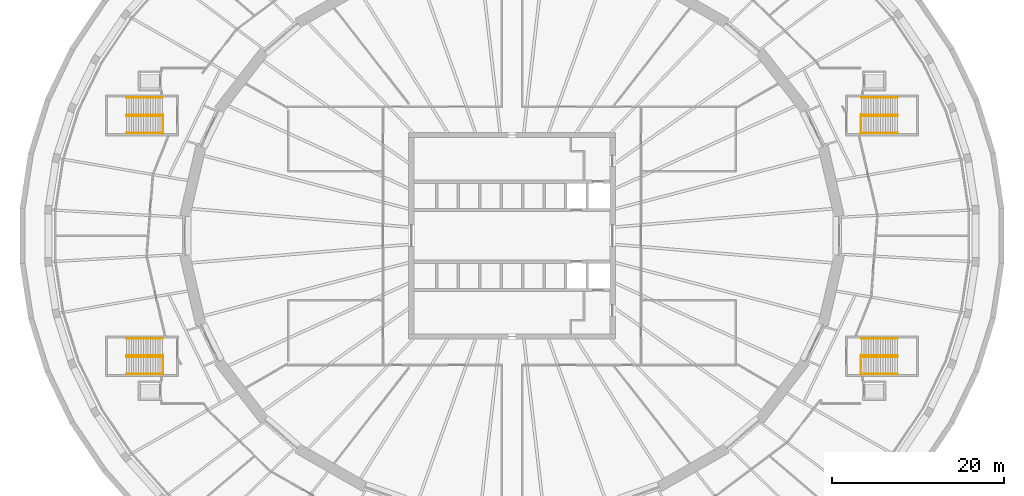
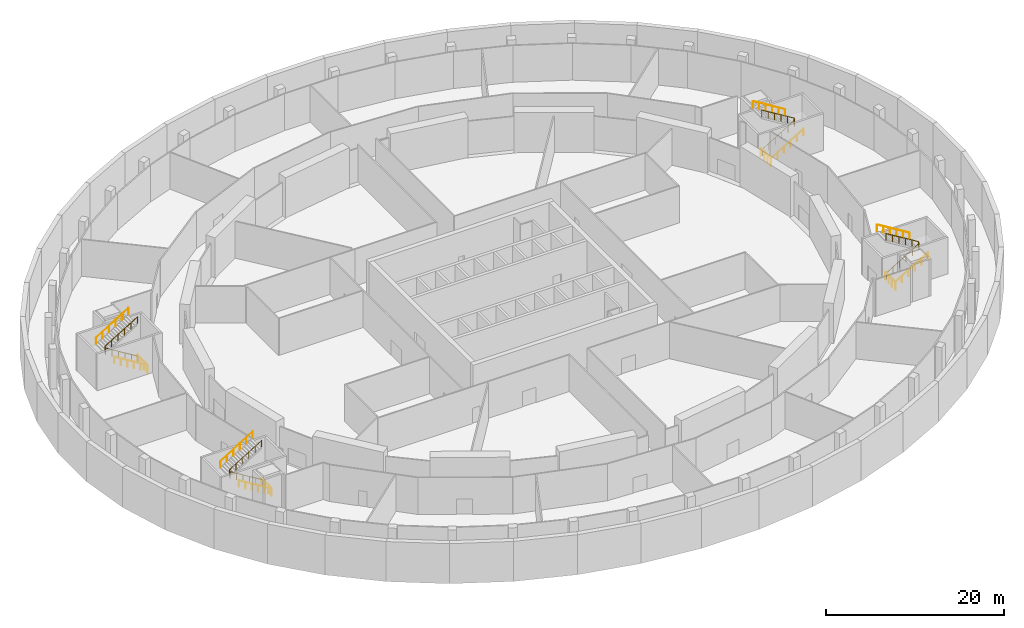
# One storey, part 13 of 14: 16 railings.
"""IFC4 building model written with IfcOpenShell, lengths in metres."""

from ifc_helpers import new_model, si_unit, direction, frame, origin, origin_2d, place, context, subcontext, project, spatial, circle, extrude, material, type_object, element, save


model = new_model("IFC4")

# Units and contexts
model_context = context("Model", 3, precision=1e-05, world=origin(), true_north=direction((0.0, 1.0)))
body_context = subcontext(model_context, "Body", "Model", "MODEL_VIEW")
ifc_project = project(units=[si_unit("LENGTHUNIT", "METRE"), si_unit("AREAUNIT", "SQUARE_METRE"), si_unit("VOLUMEUNIT", "CUBIC_METRE"), si_unit("PLANEANGLEUNIT", "RADIAN"), si_unit("MASSUNIT", "GRAM", prefix="KILO")], contexts=[model_context])

# Site, building, storey
site_placement = place(None, origin())
site = spatial("IfcSite", under=ifc_project, at=site_placement, CompositionType="ELEMENT")
building_placement = place(site_placement, origin())
building = spatial("IfcBuilding", under=site, at=building_placement, Name="Halqa Exchange Tower", CompositionType="ELEMENT")
storey_placement = place(building_placement, frame((0.0, 0.0, -9.5)))
storey = spatial("IfcBuildingStorey", under=building, at=storey_placement, Name="B2", CompositionType="ELEMENT", Elevation=-9.5)

# Railings
ifc_material = material(Name="Stainless steel", Category="steel")
railing_type_1 = type_object("IfcRailingType", Name="Stair handrail 900", PredefinedType="HANDRAIL", material=ifc_material)
railing_1_placement = place(storey_placement, frame((40.60009765625, 13.93505859375, 0.171875)))
element("IfcRailing", 1, at=railing_1_placement, inside=storey, type_object=railing_type_1, Name="Handrail SS1.1", PredefinedType="HANDRAIL", context=body_context, shape_type="SweptSolid", body=[
    extrude(circle(Radius=0.02392578125, at=origin_2d()), frame((0.0, 0.0, 0.8759765625), z_axis=(0.852242915053, 0.0, 0.523146264196), x_axis=(0.0, 1.0, 0.0)), (0.0, 0.0, 1.0), 4.92822265625),
    extrude(circle(Radius=0.02392578125, at=origin_2d()), frame((4.199951171875, 0.0, 3.4541015625), z_axis=(0.0, 0.602897214173, 0.797818869883), x_axis=(-1.0, 0.0, 0.0)), (0.0, 0.0, 1.0), 0.21533203125),
    extrude(circle(Radius=0.02392578125, at=origin_2d()), frame((4.199951171875, 0.1298828125, 3.6259765625), z_axis=(-0.852242915053, 0.0, 0.523146264196), x_axis=(0.0, -1.0, 0.0)), (0.0, 0.0, 1.0), 4.92822265625),
    extrude(circle(Radius=0.02099609375, at=origin_2d()), origin(), (0.0, 0.0, 1.0), 0.851806640625),
    extrude(circle(Radius=0.02099609375, at=origin_2d()), frame((0.840087890625, 0.0, 0.515625)), (0.0, 0.0, 1.0), 0.851806640625),
    extrude(circle(Radius=0.02099609375, at=origin_2d()), frame((1.679931640625, 0.0, 1.03125)), (0.0, 0.0, 1.0), 0.851806640625),
    extrude(circle(Radius=0.02099609375, at=origin_2d()), frame((2.52001953125, 0.0, 1.546875)), (0.0, 0.0, 1.0), 0.851806640625),
    extrude(circle(Radius=0.02099609375, at=origin_2d()), frame((3.35986328125, 0.0, 2.0625)), (0.0, 0.0, 1.0), 0.851806640625),
    extrude(circle(Radius=0.02099609375, at=origin_2d()), frame((4.199951171875, 0.0, 2.578125)), (0.0, 0.0, 1.0), 0.851806640625),
    extrude(circle(Radius=0.02099609375, at=origin_2d()), frame((4.199951171875, 0.1298828125, 2.75)), (0.0, 0.0, 1.0), 0.851806640625),
    extrude(circle(Radius=0.02099609375, at=origin_2d()), frame((3.35986328125, 0.1298828125, 3.265625)), (0.0, 0.0, 1.0), 0.851806640625),
    extrude(circle(Radius=0.02099609375, at=origin_2d()), frame((2.52001953125, 0.1298828125, 3.78125)), (0.0, 0.0, 1.0), 0.851806640625),
    extrude(circle(Radius=0.02099609375, at=origin_2d()), frame((1.679931640625, 0.1298828125, 4.296875)), (0.0, 0.0, 1.0), 0.851806640625),
    extrude(circle(Radius=0.02099609375, at=origin_2d()), frame((0.840087890625, 0.1298828125, 4.8125)), (0.0, 0.0, 1.0), 0.851806640625),
    extrude(circle(Radius=0.02099609375, at=origin_2d()), frame((0.0, 0.1298828125, 5.328125)), (0.0, 0.0, 1.0), 0.851806640625),
])
railing_2_placement = place(storey_placement, frame((40.60009765625, 11.925048828125, 0.171875)))
element("IfcRailing", 2, at=railing_2_placement, inside=storey, type_object=railing_type_1, Name="Handrail SS1.2", PredefinedType="HANDRAIL", context=body_context, shape_type="SweptSolid", body=[
    extrude(circle(Radius=0.02392578125, at=origin_2d()), frame((0.0, 0.0, 0.8759765625), z_axis=(0.852242915053, 0.0, 0.523146264196), x_axis=(0.0, 1.0, 0.0)), (0.0, 0.0, 1.0), 4.92822265625),
    extrude(circle(Radius=0.02099609375, at=origin_2d()), origin(), (0.0, 0.0, 1.0), 0.851806640625),
    extrude(circle(Radius=0.02099609375, at=origin_2d()), frame((0.840087890625, 0.0, 0.515625)), (0.0, 0.0, 1.0), 0.851806640625),
    extrude(circle(Radius=0.02099609375, at=origin_2d()), frame((1.679931640625, 0.0, 1.03125)), (0.0, 0.0, 1.0), 0.851806640625),
    extrude(circle(Radius=0.02099609375, at=origin_2d()), frame((2.52001953125, 0.0, 1.546875)), (0.0, 0.0, 1.0), 0.851806640625),
    extrude(circle(Radius=0.02099609375, at=origin_2d()), frame((3.35986328125, 0.0, 2.0625)), (0.0, 0.0, 1.0), 0.851806640625),
    extrude(circle(Radius=0.02099609375, at=origin_2d()), frame((4.199951171875, 0.0, 2.578125)), (0.0, 0.0, 1.0), 0.851806640625),
])
railing_3_placement = place(storey_placement, frame((44.800048828125, 16.074951171875, 2.921875)))
element("IfcRailing", 3, at=railing_3_placement, inside=storey, type_object=railing_type_1, Name="Handrail SS1.3", PredefinedType="HANDRAIL", context=body_context, shape_type="SweptSolid", body=[
    extrude(circle(Radius=0.02392578125, at=origin_2d()), frame((0.0, 0.0, 0.8759765625), z_axis=(-0.852242915053, 0.0, 0.523146264196), x_axis=(0.0, -1.0, 0.0)), (0.0, 0.0, 1.0), 4.92822265625),
    extrude(circle(Radius=0.02099609375, at=origin_2d()), origin(), (0.0, 0.0, 1.0), 0.851806640625),
    extrude(circle(Radius=0.02099609375, at=origin_2d()), frame((-0.840087890625, 0.0, 0.515625)), (0.0, 0.0, 1.0), 0.851806640625),
    extrude(circle(Radius=0.02099609375, at=origin_2d()), frame((-1.679931640625, 0.0, 1.03125)), (0.0, 0.0, 1.0), 0.851806640625),
    extrude(circle(Radius=0.02099609375, at=origin_2d()), frame((-2.52001953125, 0.0, 1.546875)), (0.0, 0.0, 1.0), 0.851806640625),
    extrude(circle(Radius=0.02099609375, at=origin_2d()), frame((-3.35986328125, 0.0, 2.0625)), (0.0, 0.0, 1.0), 0.851806640625),
    extrude(circle(Radius=0.02099609375, at=origin_2d()), frame((-4.199951171875, 0.0, 2.578125)), (0.0, 0.0, 1.0), 0.851806640625),
])
railing_4_placement = place(storey_placement, frame((40.60009765625, -14.06494140625, 0.171875)))
element("IfcRailing", 4, at=railing_4_placement, inside=storey, type_object=railing_type_1, Name="Handrail SS2.1", PredefinedType="HANDRAIL", context=body_context, shape_type="SweptSolid", body=[
    extrude(circle(Radius=0.02392578125, at=origin_2d()), frame((0.0, 0.0, 0.8759765625), z_axis=(0.852242915053, 0.0, 0.523146264196), x_axis=(0.0, 1.0, 0.0)), (0.0, 0.0, 1.0), 4.92822265625),
    extrude(circle(Radius=0.02392578125, at=origin_2d()), frame((4.199951171875, 0.0, 3.4541015625), z_axis=(0.0, 0.602897214173, 0.797818869883), x_axis=(-1.0, 0.0, 0.0)), (0.0, 0.0, 1.0), 0.21533203125),
    extrude(circle(Radius=0.02392578125, at=origin_2d()), frame((4.199951171875, 0.1298828125, 3.6259765625), z_axis=(-0.852242915053, 0.0, 0.523146264196), x_axis=(0.0, -1.0, 0.0)), (0.0, 0.0, 1.0), 4.92822265625),
    extrude(circle(Radius=0.02099609375, at=origin_2d()), origin(), (0.0, 0.0, 1.0), 0.851806640625),
    extrude(circle(Radius=0.02099609375, at=origin_2d()), frame((0.840087890625, 0.0, 0.515625)), (0.0, 0.0, 1.0), 0.851806640625),
    extrude(circle(Radius=0.02099609375, at=origin_2d()), frame((1.679931640625, 0.0, 1.03125)), (0.0, 0.0, 1.0), 0.851806640625),
    extrude(circle(Radius=0.02099609375, at=origin_2d()), frame((2.52001953125, 0.0, 1.546875)), (0.0, 0.0, 1.0), 0.851806640625),
    extrude(circle(Radius=0.02099609375, at=origin_2d()), frame((3.35986328125, 0.0, 2.0625)), (0.0, 0.0, 1.0), 0.851806640625),
    extrude(circle(Radius=0.02099609375, at=origin_2d()), frame((4.199951171875, 0.0, 2.578125)), (0.0, 0.0, 1.0), 0.851806640625),
    extrude(circle(Radius=0.02099609375, at=origin_2d()), frame((4.199951171875, 0.1298828125, 2.75)), (0.0, 0.0, 1.0), 0.851806640625),
    extrude(circle(Radius=0.02099609375, at=origin_2d()), frame((3.35986328125, 0.1298828125, 3.265625)), (0.0, 0.0, 1.0), 0.851806640625),
    extrude(circle(Radius=0.02099609375, at=origin_2d()), frame((2.52001953125, 0.1298828125, 3.78125)), (0.0, 0.0, 1.0), 0.851806640625),
    extrude(circle(Radius=0.02099609375, at=origin_2d()), frame((1.679931640625, 0.1298828125, 4.296875)), (0.0, 0.0, 1.0), 0.851806640625),
    extrude(circle(Radius=0.02099609375, at=origin_2d()), frame((0.840087890625, 0.1298828125, 4.8125)), (0.0, 0.0, 1.0), 0.851806640625),
    extrude(circle(Radius=0.02099609375, at=origin_2d()), frame((0.0, 0.1298828125, 5.328125)), (0.0, 0.0, 1.0), 0.851806640625),
])
railing_5_placement = place(storey_placement, frame((40.60009765625, -16.074951171875, 0.171875)))
element("IfcRailing", 5, at=railing_5_placement, inside=storey, type_object=railing_type_1, Name="Handrail SS2.2", PredefinedType="HANDRAIL", context=body_context, shape_type="SweptSolid", body=[
    extrude(circle(Radius=0.02392578125, at=origin_2d()), frame((0.0, 0.0, 0.8759765625), z_axis=(0.852242915053, 0.0, 0.523146264196), x_axis=(0.0, 1.0, 0.0)), (0.0, 0.0, 1.0), 4.92822265625),
    extrude(circle(Radius=0.02099609375, at=origin_2d()), origin(), (0.0, 0.0, 1.0), 0.851806640625),
    extrude(circle(Radius=0.02099609375, at=origin_2d()), frame((0.840087890625, 0.0, 0.515625)), (0.0, 0.0, 1.0), 0.851806640625),
    extrude(circle(Radius=0.02099609375, at=origin_2d()), frame((1.679931640625, 0.0, 1.03125)), (0.0, 0.0, 1.0), 0.851806640625),
    extrude(circle(Radius=0.02099609375, at=origin_2d()), frame((2.52001953125, 0.0, 1.546875)), (0.0, 0.0, 1.0), 0.851806640625),
    extrude(circle(Radius=0.02099609375, at=origin_2d()), frame((3.35986328125, 0.0, 2.0625)), (0.0, 0.0, 1.0), 0.851806640625),
    extrude(circle(Radius=0.02099609375, at=origin_2d()), frame((4.199951171875, 0.0, 2.578125)), (0.0, 0.0, 1.0), 0.851806640625),
])
railing_6_placement = place(storey_placement, frame((44.800048828125, -11.925048828125, 2.921875)))
element("IfcRailing", 6, at=railing_6_placement, inside=storey, type_object=railing_type_1, Name="Handrail SS2.3", PredefinedType="HANDRAIL", context=body_context, shape_type="SweptSolid", body=[
    extrude(circle(Radius=0.02392578125, at=origin_2d()), frame((0.0, 0.0, 0.8759765625), z_axis=(-0.852242915053, 0.0, 0.523146264196), x_axis=(0.0, -1.0, 0.0)), (0.0, 0.0, 1.0), 4.92822265625),
    extrude(circle(Radius=0.02099609375, at=origin_2d()), origin(), (0.0, 0.0, 1.0), 0.851806640625),
    extrude(circle(Radius=0.02099609375, at=origin_2d()), frame((-0.840087890625, 0.0, 0.515625)), (0.0, 0.0, 1.0), 0.851806640625),
    extrude(circle(Radius=0.02099609375, at=origin_2d()), frame((-1.679931640625, 0.0, 1.03125)), (0.0, 0.0, 1.0), 0.851806640625),
    extrude(circle(Radius=0.02099609375, at=origin_2d()), frame((-2.52001953125, 0.0, 1.546875)), (0.0, 0.0, 1.0), 0.851806640625),
    extrude(circle(Radius=0.02099609375, at=origin_2d()), frame((-3.35986328125, 0.0, 2.0625)), (0.0, 0.0, 1.0), 0.851806640625),
    extrude(circle(Radius=0.02099609375, at=origin_2d()), frame((-4.199951171875, 0.0, 2.578125)), (0.0, 0.0, 1.0), 0.851806640625),
])
railing_7_placement = place(storey_placement, frame((-40.60009765625, 13.93505859375, 0.171875)))
element("IfcRailing", 7, at=railing_7_placement, inside=storey, type_object=railing_type_1, Name="Handrail SS3.1", PredefinedType="HANDRAIL", context=body_context, shape_type="SweptSolid", body=[
    extrude(circle(Radius=0.02392578125, at=origin_2d()), frame((0.0, 0.0, 0.8759765625), z_axis=(-0.852242915053, 0.0, 0.523146264196), x_axis=(0.0, -1.0, 0.0)), (0.0, 0.0, 1.0), 4.92822265625),
    extrude(circle(Radius=0.02392578125, at=origin_2d()), frame((-4.199951171875, 0.0, 3.4541015625), z_axis=(0.0, 0.602897214173, 0.797818869883), x_axis=(-1.0, 0.0, 0.0)), (0.0, 0.0, 1.0), 0.21533203125),
    extrude(circle(Radius=0.02392578125, at=origin_2d()), frame((-4.199951171875, 0.1298828125, 3.6259765625), z_axis=(0.852242915053, 0.0, 0.523146264196), x_axis=(0.0, 1.0, 0.0)), (0.0, 0.0, 1.0), 4.92822265625),
    extrude(circle(Radius=0.02099609375, at=origin_2d()), origin(), (0.0, 0.0, 1.0), 0.851806640625),
    extrude(circle(Radius=0.02099609375, at=origin_2d()), frame((-0.840087890625, 0.0, 0.515625)), (0.0, 0.0, 1.0), 0.851806640625),
    extrude(circle(Radius=0.02099609375, at=origin_2d()), frame((-1.679931640625, 0.0, 1.03125)), (0.0, 0.0, 1.0), 0.851806640625),
    extrude(circle(Radius=0.02099609375, at=origin_2d()), frame((-2.52001953125, 0.0, 1.546875)), (0.0, 0.0, 1.0), 0.851806640625),
    extrude(circle(Radius=0.02099609375, at=origin_2d()), frame((-3.35986328125, 0.0, 2.0625)), (0.0, 0.0, 1.0), 0.851806640625),
    extrude(circle(Radius=0.02099609375, at=origin_2d()), frame((-4.199951171875, 0.0, 2.578125)), (0.0, 0.0, 1.0), 0.851806640625),
    extrude(circle(Radius=0.02099609375, at=origin_2d()), frame((-4.199951171875, 0.1298828125, 2.75)), (0.0, 0.0, 1.0), 0.851806640625),
    extrude(circle(Radius=0.02099609375, at=origin_2d()), frame((-3.35986328125, 0.1298828125, 3.265625)), (0.0, 0.0, 1.0), 0.851806640625),
    extrude(circle(Radius=0.02099609375, at=origin_2d()), frame((-2.52001953125, 0.1298828125, 3.78125)), (0.0, 0.0, 1.0), 0.851806640625),
    extrude(circle(Radius=0.02099609375, at=origin_2d()), frame((-1.679931640625, 0.1298828125, 4.296875)), (0.0, 0.0, 1.0), 0.851806640625),
    extrude(circle(Radius=0.02099609375, at=origin_2d()), frame((-0.840087890625, 0.1298828125, 4.8125)), (0.0, 0.0, 1.0), 0.851806640625),
    extrude(circle(Radius=0.02099609375, at=origin_2d()), frame((0.0, 0.1298828125, 5.328125)), (0.0, 0.0, 1.0), 0.851806640625),
])
railing_8_placement = place(storey_placement, frame((-40.60009765625, 11.925048828125, 0.171875)))
element("IfcRailing", 8, at=railing_8_placement, inside=storey, type_object=railing_type_1, Name="Handrail SS3.2", PredefinedType="HANDRAIL", context=body_context, shape_type="SweptSolid", body=[
    extrude(circle(Radius=0.02392578125, at=origin_2d()), frame((0.0, 0.0, 0.8759765625), z_axis=(-0.852242915053, 0.0, 0.523146264196), x_axis=(0.0, -1.0, 0.0)), (0.0, 0.0, 1.0), 4.92822265625),
    extrude(circle(Radius=0.02099609375, at=origin_2d()), origin(), (0.0, 0.0, 1.0), 0.851806640625),
    extrude(circle(Radius=0.02099609375, at=origin_2d()), frame((-0.840087890625, 0.0, 0.515625)), (0.0, 0.0, 1.0), 0.851806640625),
    extrude(circle(Radius=0.02099609375, at=origin_2d()), frame((-1.679931640625, 0.0, 1.03125)), (0.0, 0.0, 1.0), 0.851806640625),
    extrude(circle(Radius=0.02099609375, at=origin_2d()), frame((-2.52001953125, 0.0, 1.546875)), (0.0, 0.0, 1.0), 0.851806640625),
    extrude(circle(Radius=0.02099609375, at=origin_2d()), frame((-3.35986328125, 0.0, 2.0625)), (0.0, 0.0, 1.0), 0.851806640625),
    extrude(circle(Radius=0.02099609375, at=origin_2d()), frame((-4.199951171875, 0.0, 2.578125)), (0.0, 0.0, 1.0), 0.851806640625),
])
railing_9_placement = place(storey_placement, frame((-44.800048828125, 16.074951171875, 2.921875)))
element("IfcRailing", 9, at=railing_9_placement, inside=storey, type_object=railing_type_1, Name="Handrail SS3.3", PredefinedType="HANDRAIL", context=body_context, shape_type="SweptSolid", body=[
    extrude(circle(Radius=0.02392578125, at=origin_2d()), frame((0.0, 0.0, 0.8759765625), z_axis=(0.852242915053, 0.0, 0.523146264196), x_axis=(0.0, 1.0, 0.0)), (0.0, 0.0, 1.0), 4.92822265625),
    extrude(circle(Radius=0.02099609375, at=origin_2d()), origin(), (0.0, 0.0, 1.0), 0.851806640625),
    extrude(circle(Radius=0.02099609375, at=origin_2d()), frame((0.840087890625, 0.0, 0.515625)), (0.0, 0.0, 1.0), 0.851806640625),
    extrude(circle(Radius=0.02099609375, at=origin_2d()), frame((1.679931640625, 0.0, 1.03125)), (0.0, 0.0, 1.0), 0.851806640625),
    extrude(circle(Radius=0.02099609375, at=origin_2d()), frame((2.52001953125, 0.0, 1.546875)), (0.0, 0.0, 1.0), 0.851806640625),
    extrude(circle(Radius=0.02099609375, at=origin_2d()), frame((3.35986328125, 0.0, 2.0625)), (0.0, 0.0, 1.0), 0.851806640625),
    extrude(circle(Radius=0.02099609375, at=origin_2d()), frame((4.199951171875, 0.0, 2.578125)), (0.0, 0.0, 1.0), 0.851806640625),
])
railing_10_placement = place(storey_placement, frame((-40.60009765625, -14.06494140625, 0.171875)))
element("IfcRailing", 10, at=railing_10_placement, inside=storey, type_object=railing_type_1, Name="Handrail SS4.1", PredefinedType="HANDRAIL", context=body_context, shape_type="SweptSolid", body=[
    extrude(circle(Radius=0.02392578125, at=origin_2d()), frame((0.0, 0.0, 0.8759765625), z_axis=(-0.852242915053, 0.0, 0.523146264196), x_axis=(0.0, -1.0, 0.0)), (0.0, 0.0, 1.0), 4.92822265625),
    extrude(circle(Radius=0.02392578125, at=origin_2d()), frame((-4.199951171875, 0.0, 3.4541015625), z_axis=(0.0, 0.602897214173, 0.797818869883), x_axis=(-1.0, 0.0, 0.0)), (0.0, 0.0, 1.0), 0.21533203125),
    extrude(circle(Radius=0.02392578125, at=origin_2d()), frame((-4.199951171875, 0.1298828125, 3.6259765625), z_axis=(0.852242915053, 0.0, 0.523146264196), x_axis=(0.0, 1.0, 0.0)), (0.0, 0.0, 1.0), 4.92822265625),
    extrude(circle(Radius=0.02099609375, at=origin_2d()), origin(), (0.0, 0.0, 1.0), 0.851806640625),
    extrude(circle(Radius=0.02099609375, at=origin_2d()), frame((-0.840087890625, 0.0, 0.515625)), (0.0, 0.0, 1.0), 0.851806640625),
    extrude(circle(Radius=0.02099609375, at=origin_2d()), frame((-1.679931640625, 0.0, 1.03125)), (0.0, 0.0, 1.0), 0.851806640625),
    extrude(circle(Radius=0.02099609375, at=origin_2d()), frame((-2.52001953125, 0.0, 1.546875)), (0.0, 0.0, 1.0), 0.851806640625),
    extrude(circle(Radius=0.02099609375, at=origin_2d()), frame((-3.35986328125, 0.0, 2.0625)), (0.0, 0.0, 1.0), 0.851806640625),
    extrude(circle(Radius=0.02099609375, at=origin_2d()), frame((-4.199951171875, 0.0, 2.578125)), (0.0, 0.0, 1.0), 0.851806640625),
    extrude(circle(Radius=0.02099609375, at=origin_2d()), frame((-4.199951171875, 0.1298828125, 2.75)), (0.0, 0.0, 1.0), 0.851806640625),
    extrude(circle(Radius=0.02099609375, at=origin_2d()), frame((-3.35986328125, 0.1298828125, 3.265625)), (0.0, 0.0, 1.0), 0.851806640625),
    extrude(circle(Radius=0.02099609375, at=origin_2d()), frame((-2.52001953125, 0.1298828125, 3.78125)), (0.0, 0.0, 1.0), 0.851806640625),
    extrude(circle(Radius=0.02099609375, at=origin_2d()), frame((-1.679931640625, 0.1298828125, 4.296875)), (0.0, 0.0, 1.0), 0.851806640625),
    extrude(circle(Radius=0.02099609375, at=origin_2d()), frame((-0.840087890625, 0.1298828125, 4.8125)), (0.0, 0.0, 1.0), 0.851806640625),
    extrude(circle(Radius=0.02099609375, at=origin_2d()), frame((0.0, 0.1298828125, 5.328125)), (0.0, 0.0, 1.0), 0.851806640625),
])
railing_11_placement = place(storey_placement, frame((-40.60009765625, -16.074951171875, 0.171875)))
element("IfcRailing", 11, at=railing_11_placement, inside=storey, type_object=railing_type_1, Name="Handrail SS4.2", PredefinedType="HANDRAIL", context=body_context, shape_type="SweptSolid", body=[
    extrude(circle(Radius=0.02392578125, at=origin_2d()), frame((0.0, 0.0, 0.8759765625), z_axis=(-0.852242915053, 0.0, 0.523146264196), x_axis=(0.0, -1.0, 0.0)), (0.0, 0.0, 1.0), 4.92822265625),
    extrude(circle(Radius=0.02099609375, at=origin_2d()), origin(), (0.0, 0.0, 1.0), 0.851806640625),
    extrude(circle(Radius=0.02099609375, at=origin_2d()), frame((-0.840087890625, 0.0, 0.515625)), (0.0, 0.0, 1.0), 0.851806640625),
    extrude(circle(Radius=0.02099609375, at=origin_2d()), frame((-1.679931640625, 0.0, 1.03125)), (0.0, 0.0, 1.0), 0.851806640625),
    extrude(circle(Radius=0.02099609375, at=origin_2d()), frame((-2.52001953125, 0.0, 1.546875)), (0.0, 0.0, 1.0), 0.851806640625),
    extrude(circle(Radius=0.02099609375, at=origin_2d()), frame((-3.35986328125, 0.0, 2.0625)), (0.0, 0.0, 1.0), 0.851806640625),
    extrude(circle(Radius=0.02099609375, at=origin_2d()), frame((-4.199951171875, 0.0, 2.578125)), (0.0, 0.0, 1.0), 0.851806640625),
])
railing_12_placement = place(storey_placement, frame((-44.800048828125, -11.925048828125, 2.921875)))
element("IfcRailing", 12, at=railing_12_placement, inside=storey, type_object=railing_type_1, Name="Handrail SS4.3", PredefinedType="HANDRAIL", context=body_context, shape_type="SweptSolid", body=[
    extrude(circle(Radius=0.02392578125, at=origin_2d()), frame((0.0, 0.0, 0.8759765625), z_axis=(0.852242915053, 0.0, 0.523146264196), x_axis=(0.0, 1.0, 0.0)), (0.0, 0.0, 1.0), 4.92822265625),
    extrude(circle(Radius=0.02099609375, at=origin_2d()), origin(), (0.0, 0.0, 1.0), 0.851806640625),
    extrude(circle(Radius=0.02099609375, at=origin_2d()), frame((0.840087890625, 0.0, 0.515625)), (0.0, 0.0, 1.0), 0.851806640625),
    extrude(circle(Radius=0.02099609375, at=origin_2d()), frame((1.679931640625, 0.0, 1.03125)), (0.0, 0.0, 1.0), 0.851806640625),
    extrude(circle(Radius=0.02099609375, at=origin_2d()), frame((2.52001953125, 0.0, 1.546875)), (0.0, 0.0, 1.0), 0.851806640625),
    extrude(circle(Radius=0.02099609375, at=origin_2d()), frame((3.35986328125, 0.0, 2.0625)), (0.0, 0.0, 1.0), 0.851806640625),
    extrude(circle(Radius=0.02099609375, at=origin_2d()), frame((4.199951171875, 0.0, 2.578125)), (0.0, 0.0, 1.0), 0.851806640625),
])
railing_type_2 = type_object("IfcRailingType", Name="Stair well guard 1100", PredefinedType="GUARDRAIL", material=ifc_material)
for number, where, name in (
    (13, (40.550048828125, 11.875, 0.0), "Guard SS1 well"),
    (14, (40.550048828125, -16.125, 0.0), "Guard SS2 well"),
    (15, (-40.550048828125, 11.875, 0.0), "Guard SS3 well"),
    (16, (-40.550048828125, -16.125, 0.0), "Guard SS4 well"),
):
    element("IfcRailing", number, at=place(storey_placement, frame(where)), inside=storey, type_object=railing_type_2, Name=name, PredefinedType="GUARDRAIL", context=body_context, shape_type="SweptSolid", body=[
        extrude(circle(Radius=0.02392578125, at=origin_2d()), frame((0.0, 0.0, 1.076171875), z_axis=(0.0, 1.0, 0.0), x_axis=(-1.0, 0.0, 0.0)), (0.0, 0.0, 1.0), 2.25),
        extrude(circle(Radius=0.02099609375, at=origin_2d()), origin(), (0.0, 0.0, 1.0), 1.052001953125),
        extrude(circle(Radius=0.02099609375, at=origin_2d()), frame((0.0, 0.75, 0.0)), (0.0, 0.0, 1.0), 1.052001953125),
        extrude(circle(Radius=0.02099609375, at=origin_2d()), frame((0.0, 1.5, 0.0)), (0.0, 0.0, 1.0), 1.052001953125),
        extrude(circle(Radius=0.02099609375, at=origin_2d()), frame((0.0, 2.25, 0.0)), (0.0, 0.0, 1.0), 1.052001953125),
    ])

save(model, "model.ifc")
